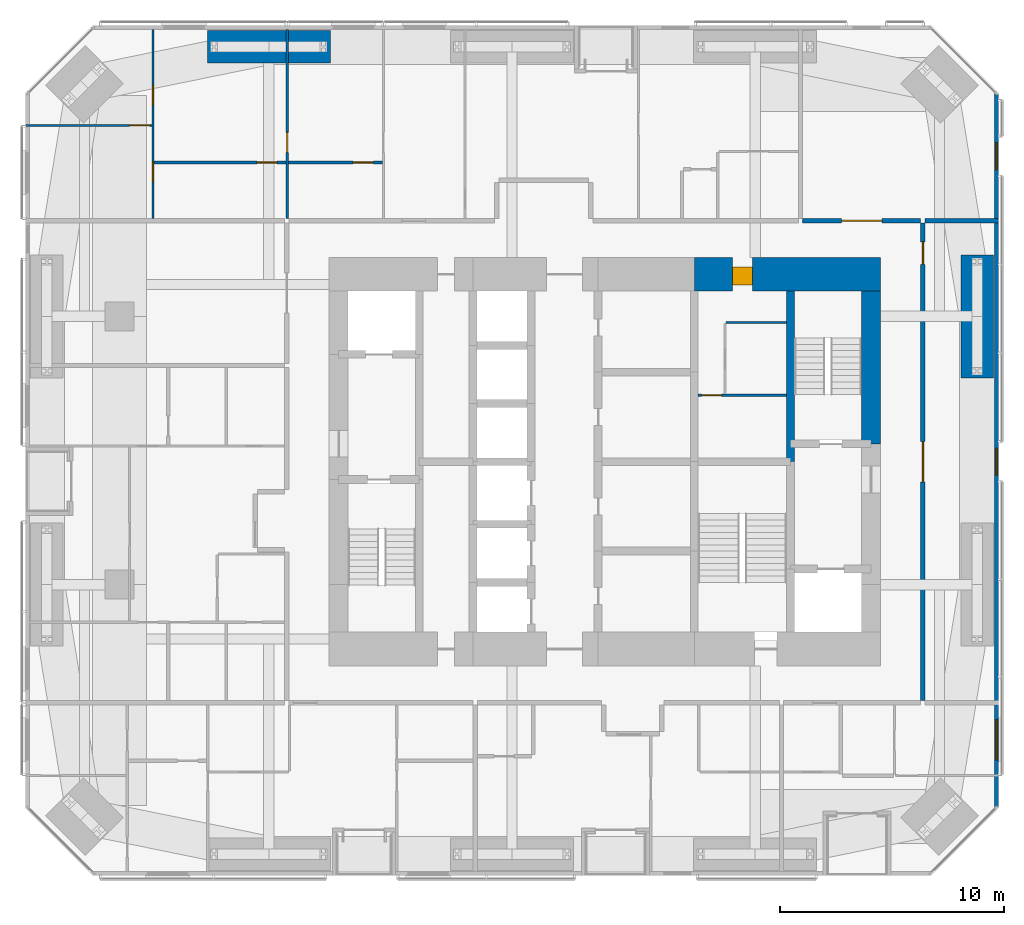
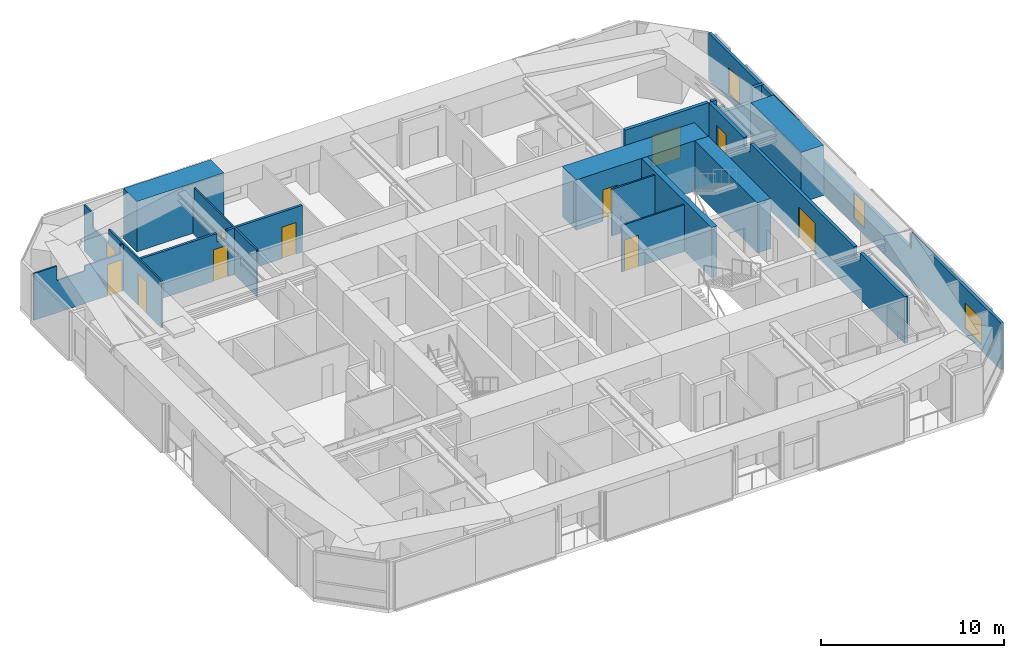
# One storey, part 21 of 23: 16 walls, 11 doors, 3 windows, 14 openings.
"""IFC4 building model written with IfcOpenShell, lengths in metres."""

from ifc_helpers import new_model, si_unit, direction, frame, frame_2d, origin, place, context, subcontext, project, spatial, polyline, rectangle, outline, extrude, material, layer, layer_set, constituent, constituent_set, type_object, element, fill, save


model = new_model("IFC4")

# Units and contexts
model_context = context("Model", 3, precision=1e-05, world=origin(), true_north=direction((0.0, 1.0)))
body_context = subcontext(model_context, "Body", "Model", "MODEL_VIEW")
ifc_project = project(units=[si_unit("LENGTHUNIT", "METRE"), si_unit("AREAUNIT", "SQUARE_METRE"), si_unit("VOLUMEUNIT", "CUBIC_METRE"), si_unit("PLANEANGLEUNIT", "RADIAN"), si_unit("MASSUNIT", "GRAM", prefix="KILO")], contexts=[model_context])

# Site, building, storey
site_placement = place(None, origin())
site = spatial("IfcSite", under=ifc_project, at=site_placement, CompositionType="ELEMENT")
building_placement = place(site_placement, origin())
building = spatial("IfcBuilding", under=site, at=building_placement, Name="Jalousie Tower", CompositionType="ELEMENT")
storey_placement = place(building_placement, frame((0.0, 0.0, 111.550048828125)))
storey = spatial("IfcBuildingStorey", under=building, at=storey_placement, Name="L30", CompositionType="ELEMENT", Elevation=111.550048828125)

# Wall, opening, door
ifc_material_1 = material(Name="Concrete block ASTM C90", Category="concrete")
ifc_constituent_1 = constituent(ifc_material_1, Name="Body")
ifc_material_2 = material(Name="Render")
ifc_constituent_2 = constituent(ifc_material_2, Name="Finish")
ifc_constituent_set_1 = constituent_set(constituents=[ifc_constituent_1, ifc_constituent_2])
wall_type_1 = type_object("IfcWallType", Name="BATHROOM WALL 150", PredefinedType="PLUMBINGWALL", material=ifc_constituent_set_1)
wall_1_placement = place(storey_placement, frame((11.75, 31.875, 0.0), z_axis=(0.0, 0.0, 1.0), x_axis=(1.0, 0.0, 0.0)))
wall_1 = element("IfcWall", 1, at=wall_1_placement, inside=storey, type_object=wall_type_1, Name="Bathroom Wall 150 L30", PredefinedType="PLUMBINGWALL", context=body_context, shape_type="SweptSolid", body=[
    extrude(outline(polyline([(0.0, 0.0), (5.89990234375, 0.0), (5.89990234375, 3.10986328125), (5.4375, 3.10986328125), (5.4375, 2.541015625), (4.8125, 2.541015625), (4.8125, 3.10986328125), (0.0, 3.10986328125), (0.0, 0.0)])), frame((0.0, 0.074951171875, 0.0), z_axis=(0.0, -1.0, 0.0), x_axis=(1.0, 0.0, 0.0)), (0.0, 0.0, 1.0), 0.14990234375),
])
opening_1_placement = place(wall_1_placement, frame((4.60009765625, 0.0, 0.0)))
opening_1 = element("IfcOpeningElement", 2, at=opening_1_placement, cuts=wall_1, Name="Opening D3", PredefinedType="OPENING", context=body_context, shape_type="SweptSolid", body=[
    extrude(rectangle(XDim=0.89990234375, YDim=2.10009765625, at=frame_2d((0.449951171875, 1.050048828125))), frame((0.0, 0.0849609375, 0.0), z_axis=(0.0, -1.0, 0.0), x_axis=(1.0, 0.0, 0.0)), (0.0, 0.0, 1.0), 0.169921875),
])
ifc_material_3 = material(Name="Timber door", Category="wood")
door_type_1 = type_object("IfcDoorType", Name="BATHROOM DOOR 900", OperationType="SINGLE_SWING_LEFT", PredefinedType="DOOR", material=ifc_material_3)
door_1_placement = place(opening_1_placement, frame((0.89990234375, 0.0, 0.0), z_axis=(0.0, 0.0, 1.0), x_axis=(-1.0, 0.0, 0.0)))
door_1 = element("IfcDoor", 3, at=door_1_placement, inside=storey, type_object=door_type_1, Name="Apartment 3004 bedroom 2 bathroom door", OperationType="SINGLE_SWING_LEFT", OverallHeight=2.10009765625, OverallWidth=0.89990234375, PredefinedType="DOOR", context=body_context, shape_type="SweptSolid", body=[
    extrude(rectangle(XDim=0.89990234375, YDim=2.10009765625, at=frame_2d((0.449951171875, 1.050048828125))), frame((0.0, 0.02490234375, 0.0), z_axis=(0.0, -1.0, 0.0), x_axis=(1.0, 0.0, 0.0)), (0.0, 0.0, 1.0), 0.050048828125),
])
fill(opening_1, door_1)

wall_2_placement = place(storey_placement, frame((17.75, 31.875, 0.0), z_axis=(0.0, 0.0, 1.0), x_axis=(1.0, 0.0, 0.0)))
wall_2 = element("IfcWall", 4, at=wall_2_placement, inside=storey, type_object=wall_type_1, Name="Bathroom Wall 150 L30", PredefinedType="PLUMBINGWALL", context=body_context, shape_type="SweptSolid", body=[
    extrude(rectangle(XDim=4.199951171875, YDim=0.14990234375, at=frame_2d((2.10009765625, 0.0))), origin(), (0.0, 0.0, 1.0), 3.10986328125),
])
opening_2_placement = place(wall_2_placement, frame((2.89990234375, 0.0, 0.0)))
opening_2 = element("IfcOpeningElement", 5, at=opening_2_placement, cuts=wall_2, Name="Opening D3", PredefinedType="OPENING", context=body_context, shape_type="SweptSolid", body=[
    extrude(rectangle(XDim=0.89990234375, YDim=2.10009765625, at=frame_2d((0.449951171875, 1.050048828125))), frame((0.0, 0.0849609375, 0.0), z_axis=(0.0, -1.0, 0.0), x_axis=(1.0, 0.0, 0.0)), (0.0, 0.0, 1.0), 0.169921875),
])
door_2_placement = place(opening_2_placement, frame((0.89990234375, 0.0, 0.0), z_axis=(0.0, 0.0, 1.0), x_axis=(-1.0, 0.0, 0.0)))
door_2 = element("IfcDoor", 6, at=door_2_placement, inside=storey, type_object=door_type_1, Name="Apartment 3004 bedroom 3 bathroom door", OperationType="SINGLE_SWING_LEFT", OverallHeight=2.10009765625, OverallWidth=0.89990234375, PredefinedType="DOOR", context=body_context, shape_type="SweptSolid", body=[
    extrude(rectangle(XDim=0.89990234375, YDim=2.10009765625, at=frame_2d((0.449951171875, 1.050048828125))), frame((0.0, 0.02490234375, 0.0), z_axis=(0.0, -1.0, 0.0), x_axis=(1.0, 0.0, 0.0)), (0.0, 0.0, 1.0), 0.050048828125),
])
fill(opening_2, door_2)

ifc_material_4 = material(Name="Concrete f'c 120 MPa", Category="concrete")
ifc_layer_1 = layer(ifc_material_4, 1.5)
ifc_layer_set_1 = layer_set([ifc_layer_1], Name="Concrete f'c 120 MPa")
wall_type_2 = type_object("IfcWallType", Name="CORE WALL 1500", PredefinedType="SHEAR", material=ifc_layer_set_1)
wall_3_placement = place(storey_placement, frame((44.22509765625, 26.875, 0.0), z_axis=(0.0, 0.0, 1.0), x_axis=(-1.0, 0.0, 0.0)))
wall_3 = element("IfcWall", 7, at=wall_3_placement, inside=storey, type_object=wall_type_2, Name="Core wall NA L30", PredefinedType="SHEAR", context=body_context, shape_type="SweptSolid", body=[
    extrude(rectangle(XDim=8.3251953125, YDim=1.5, at=frame_2d((4.16259765625, 0.0))), origin(), (0.0, 0.0, 1.0), 3.349853515625),
])
opening_3_placement = place(wall_3_placement, frame((5.72509765625, 0.0, 0.0)))
opening_3 = element("IfcOpeningElement", 8, at=opening_3_placement, cuts=wall_3, Name="Opening D25", PredefinedType="OPENING", context=body_context, shape_type="SweptSolid", body=[
    extrude(rectangle(XDim=0.89990234375, YDim=2.10009765625, at=frame_2d((0.449951171875, 1.050048828125))), frame((0.0, 0.760009765625, 0.0), z_axis=(0.0, -1.0, 0.0), x_axis=(1.0, 0.0, 0.0)), (0.0, 0.0, 1.0), 1.52001953125),
])
ifc_material_5 = material(Name="Steel fire door", Category="steel")
door_type_2 = type_object("IfcDoorType", Name="SERVICE LOBBY DOOR 900", OperationType="SINGLE_SWING_LEFT", PredefinedType="DOOR", material=ifc_material_5)
door_3_placement = place(opening_3_placement, origin())
door_3 = element("IfcDoor", 9, at=door_3_placement, inside=storey, type_object=door_type_2, Name="Service lobby door", OperationType="SINGLE_SWING_LEFT", OverallHeight=2.10009765625, OverallWidth=0.89990234375, PredefinedType="DOOR", context=body_context, shape_type="SweptSolid", body=[
    extrude(rectangle(XDim=0.89990234375, YDim=2.10009765625, at=frame_2d((0.449951171875, 1.050048828125))), frame((0.0, 0.47021484375, 0.0), z_axis=(0.0, -1.0, 0.0), x_axis=(1.0, 0.0, 0.0)), (0.0, 0.0, 1.0), 0.800048828125),
])
fill(opening_3, door_3)

# Walls
ifc_material_6 = material(Name="Concrete f'c 120 MPa", Category="concrete")
ifc_layer_2 = layer(ifc_material_6, 0.35009765625)
ifc_layer_set_2 = layer_set([ifc_layer_2], Name="Concrete f'c 120 MPa")
wall_type_3 = type_object("IfcWallType", Name="CORE WALL 350", PredefinedType="SHEAR", material=ifc_layer_set_2)
wall_4_placement = place(storey_placement, frame((40.199951171875, 18.5, 0.0), z_axis=(0.0, 0.0, 1.0), x_axis=(0.0, 1.0, 0.0)))
element("IfcWall", 10, at=wall_4_placement, inside=storey, type_object=wall_type_3, Name="Core wall X40.2C L30", PredefinedType="SHEAR", context=body_context, shape_type="SweptSolid", body=[
    extrude(rectangle(XDim=7.625, YDim=0.35009765625, at=frame_2d((3.8125, 0.0))), origin(), (0.0, 0.0, 1.0), 3.349853515625),
])
ifc_material_7 = material(Name="Concrete f'c 120 MPa", Category="concrete")
ifc_layer_3 = layer(ifc_material_7, 0.85009765625)
ifc_layer_set_3 = layer_set([ifc_layer_3], Name="Concrete f'c 120 MPa")
wall_type_4 = type_object("IfcWallType", Name="CORE WALL 850", PredefinedType="SHEAR", material=ifc_layer_set_3)
wall_5_placement = place(storey_placement, frame((43.800048828125, 19.300048828125, 0.0), z_axis=(0.0, 0.0, 1.0), x_axis=(0.0, 1.0, 0.0)))
element("IfcWall", 11, at=wall_5_placement, inside=storey, type_object=wall_type_4, Name="Core wall EC L30", PredefinedType="SHEAR", context=body_context, shape_type="SweptSolid", body=[
    extrude(rectangle(XDim=6.824951171875, YDim=0.85009765625, at=frame_2d((3.41259765625, 0.0))), origin(), (0.0, 0.0, 1.0), 3.349853515625),
])

# Wall, opening, door
ifc_material_8 = material(Name="Concrete block ASTM C90", Category="concrete")
ifc_constituent_3 = constituent(ifc_material_8, Name="Body")
ifc_material_9 = material(Name="Render")
ifc_constituent_4 = constituent(ifc_material_9, Name="Finish")
ifc_constituent_set_2 = constituent_set(constituents=[ifc_constituent_3, ifc_constituent_4])
wall_type_5 = type_object("IfcWallType", Name="CORRIDOR WALL 200", PredefinedType="PARTITIONING", material=ifc_constituent_set_2)
wall_6_placement = place(storey_placement, frame((40.75, 29.27490234375, 0.0), z_axis=(0.0, 0.0, 1.0), x_axis=(1.0, 0.0, 0.0)))
wall_6 = element("IfcWall", 12, at=wall_6_placement, inside=storey, type_object=wall_type_5, Name="Corridor Wall 200 L30", PredefinedType="PARTITIONING", context=body_context, shape_type="SweptSolid", body=[
    extrude(rectangle(XDim=5.27490234375, YDim=0.199951171875, at=frame_2d((2.637451171875, 0.0))), origin(), (0.0, 0.0, 1.0), 3.10986328125),
])
opening_4_placement = place(wall_6_placement, frame((1.737548828125, 0.0, 0.0)))
opening_4 = element("IfcOpeningElement", 13, at=opening_4_placement, cuts=wall_6, Name="Opening D22", PredefinedType="OPENING", context=body_context, shape_type="SweptSolid", body=[
    extrude(rectangle(XDim=1.800048828125, YDim=2.10009765625, at=frame_2d((0.89990234375, 1.050048828125))), frame((0.0, 0.10986328125, 0.0), z_axis=(0.0, -1.0, 0.0), x_axis=(1.0, 0.0, 0.0)), (0.0, 0.0, 1.0), 0.219970703125),
])
ifc_material_10 = material(Name="Timber fire door", Category="wood")
door_type_3 = type_object("IfcDoorType", Name="CORRIDOR DOUBLE DOOR 1800", OperationType="DOUBLE_DOOR_SINGLE_SWING", PredefinedType="DOOR", material=ifc_material_10)
door_4_placement = place(opening_4_placement, origin())
door_4 = element("IfcDoor", 14, at=door_4_placement, inside=storey, type_object=door_type_3, Name="Residents' games room door", OperationType="DOUBLE_DOOR_SINGLE_SWING", OverallHeight=2.10009765625, OverallWidth=1.800048828125, PredefinedType="DOOR", context=body_context, shape_type="SweptSolid", body=[
    extrude(rectangle(XDim=1.800048828125, YDim=2.10009765625, at=frame_2d((0.89990234375, 1.050048828125))), frame((0.0, 0.02490234375, 0.0), z_axis=(0.0, -1.0, 0.0), x_axis=(1.0, 0.0, 0.0)), (0.0, 0.0, 1.0), 0.050048828125),
])
fill(opening_4, door_4)

# Wall, openings, doors
wall_7_placement = place(storey_placement, frame((46.125, 7.824951171875, 0.0), z_axis=(0.0, 0.0, 1.0), x_axis=(0.0, 1.0, 0.0)))
wall_7 = element("IfcWall", 15, at=wall_7_placement, inside=storey, type_object=wall_type_5, Name="Corridor Wall 200 L30", PredefinedType="PARTITIONING", context=body_context, shape_type="SweptSolid", body=[
    extrude(outline(polyline([(0.0, 0.0), (21.35009765625, 0.0), (21.35009765625, 3.10986328125), (17.512451171875, 3.10986328125), (17.512451171875, 2.541015625), (16.837646484375, 2.541015625), (16.837646484375, 3.10986328125), (5.51220703125, 3.10986328125), (5.51220703125, 2.541015625), (4.837646484375, 2.541015625), (4.837646484375, 3.10986328125), (0.0, 3.10986328125), (0.0, 0.0)])), frame((0.0, 0.10009765625, 0.0), z_axis=(0.0, -1.0, 0.0), x_axis=(1.0, 0.0, 0.0)), (0.0, 0.0, 1.0), 0.199951171875),
])
opening_5_placement = place(wall_7_placement, frame((9.77490234375, 0.0, 0.0)))
opening_5 = element("IfcOpeningElement", 16, at=opening_5_placement, cuts=wall_7, Name="Opening D22", PredefinedType="OPENING", context=body_context, shape_type="SweptSolid", body=[
    extrude(rectangle(XDim=1.800048828125, YDim=2.10009765625, at=frame_2d((0.89990234375, 1.050048828125))), frame((0.0, 0.10986328125, 0.0), z_axis=(0.0, -1.0, 0.0), x_axis=(1.0, 0.0, 0.0)), (0.0, 0.0, 1.0), 0.219970703125),
])
opening_6_placement = place(wall_7_placement, frame((19.5, 0.0, 0.0)))
opening_6 = element("IfcOpeningElement", 17, at=opening_6_placement, cuts=wall_7, Name="Opening D21", PredefinedType="OPENING", context=body_context, shape_type="SweptSolid", body=[
    extrude(rectangle(XDim=1.0, YDim=2.10009765625, at=frame_2d((0.5, 1.050048828125))), frame((0.0, 0.10986328125, 0.0), z_axis=(0.0, -1.0, 0.0), x_axis=(1.0, 0.0, 0.0)), (0.0, 0.0, 1.0), 0.219970703125),
])
ifc_material_11 = material(Name="Timber fire door", Category="wood")
door_type_4 = type_object("IfcDoorType", Name="CORRIDOR DOOR 1000", OperationType="SINGLE_SWING_LEFT", PredefinedType="DOOR", material=ifc_material_11)
door_5_placement = place(opening_6_placement, frame((1.0, 0.0, 0.0), z_axis=(0.0, 0.0, 1.0), x_axis=(-1.0, 0.0, 0.0)))
door_5 = element("IfcDoor", 18, at=door_5_placement, inside=storey, type_object=door_type_4, Name="Lounge second door", OperationType="SINGLE_SWING_LEFT", OverallHeight=2.10009765625, OverallWidth=1.0, PredefinedType="DOOR", context=body_context, shape_type="SweptSolid", body=[
    extrude(rectangle(XDim=1.0, YDim=2.10009765625, at=frame_2d((0.5, 1.050048828125))), frame((0.0, 0.02490234375, 0.0), z_axis=(0.0, -1.0, 0.0), x_axis=(1.0, 0.0, 0.0)), (0.0, 0.0, 1.0), 0.050048828125),
])
fill(opening_6, door_5)
door_6_placement = place(opening_5_placement, frame((1.800048828125, 0.0, 0.0), z_axis=(0.0, 0.0, 1.0), x_axis=(-1.0, 0.0, 0.0)))
door_6 = element("IfcDoor", 19, at=door_6_placement, inside=storey, type_object=door_type_3, Name="Lounge door", OperationType="DOUBLE_DOOR_SINGLE_SWING", OverallHeight=2.10009765625, OverallWidth=1.800048828125, PredefinedType="DOOR", context=body_context, shape_type="SweptSolid", body=[
    extrude(rectangle(XDim=1.800048828125, YDim=2.10009765625, at=frame_2d((0.89990234375, 1.050048828125))), frame((0.0, 0.02490234375, 0.0), z_axis=(0.0, -1.0, 0.0), x_axis=(1.0, 0.0, 0.0)), (0.0, 0.0, 1.0), 0.050048828125),
])
fill(opening_5, door_6)

# Wall, openings, windows
ifc_material_12 = material(Name="Concrete f'c 40 MPa", Category="concrete")
ifc_constituent_5 = constituent(ifc_material_12, Name="Body")
ifc_material_13 = material(Name="Render, pastel sea green")
ifc_constituent_6 = constituent(ifc_material_13, Name="Finish")
ifc_constituent_set_3 = constituent_set(constituents=[ifc_constituent_5, ifc_constituent_6])
wall_type_6 = type_object("IfcWallType", Name="EXTERNAL WALL 175 SEA GREEN RENDER", PredefinedType="SOLIDWALL", material=ifc_constituent_set_3)
wall_8_placement = place(storey_placement, frame((49.41259765625, 3.05126953125, 0.0), z_axis=(0.0, 0.0, 1.0), x_axis=(0.0, 1.0, 0.0)))
wall_8 = element("IfcWall", 20, at=wall_8_placement, inside=storey, type_object=wall_type_6, Name="External Wall 175 Sea Green Render L30", PredefinedType="SOLIDWALL", context=body_context, shape_type="SweptSolid", body=[
    extrude(outline(polyline([(0.0, 0.0), (31.8974609375, 0.0), (31.8974609375, 3.10986328125), (22.167236328125, 3.10986328125), (22.167236328125, 2.14990234375), (22.074462890625, 2.14990234375), (22.074462890625, 3.10986328125), (21.94873046875, 3.10986328125), (21.94873046875, 2.14990234375), (9.94873046875, 2.14990234375), (9.94873046875, 3.10986328125), (9.822998046875, 3.10986328125), (9.822998046875, 2.14990234375), (9.72998046875, 2.14990234375), (9.72998046875, 3.10986328125), (0.0, 3.10986328125), (0.0, 0.0)])), frame((0.0, 0.08740234375, 0.0), z_axis=(0.0, -1.0, 0.0), x_axis=(1.0, 0.0, 0.0)), (0.0, 0.0, 1.0), 0.175048828125),
])
opening_7_placement = place(wall_8_placement, frame((2.1181640625, 0.0, 0.39990234375)))
opening_7 = element("IfcOpeningElement", 21, at=opening_7_placement, cuts=wall_8, Name="Opening W-BED170", PredefinedType="OPENING", context=body_context, shape_type="SweptSolid", body=[
    extrude(rectangle(XDim=1.800048828125, YDim=1.699951171875, at=frame_2d((0.89990234375, 0.85009765625))), frame((0.0, 0.097412109375, 0.0), z_axis=(0.0, -1.0, 0.0), x_axis=(1.0, 0.0, 0.0)), (0.0, 0.0, 1.0), 0.195068359375),
])
opening_8_placement = place(wall_8_placement, frame((14.8486328125, 0.0, 0.39990234375)))
opening_8 = element("IfcOpeningElement", 22, at=opening_8_placement, cuts=wall_8, Name="Opening W-COR170", PredefinedType="OPENING", context=body_context, shape_type="SweptSolid", body=[
    extrude(rectangle(XDim=1.199951171875, YDim=1.699951171875, at=frame_2d((0.60009765625, 0.85009765625))), frame((0.0, 0.097412109375, 0.0), z_axis=(0.0, -1.0, 0.0), x_axis=(1.0, 0.0, 0.0)), (0.0, 0.0, 1.0), 0.195068359375),
])
opening_9_placement = place(wall_8_placement, frame((28.510498046875, 0.0, 0.39990234375)))
opening_9 = element("IfcOpeningElement", 23, at=opening_9_placement, cuts=wall_8, Name="Opening W-COR170", PredefinedType="OPENING", context=body_context, shape_type="SweptSolid", body=[
    extrude(rectangle(XDim=1.199951171875, YDim=1.699951171875, at=frame_2d((0.60009765625, 0.85009765625))), frame((0.0, 0.097412109375, 0.0), z_axis=(0.0, -1.0, 0.0), x_axis=(1.0, 0.0, 0.0)), (0.0, 0.0, 1.0), 0.195068359375),
])
ifc_material_14 = material(Name="Aluminium frame, impact-rated glazing", Category="aluminium")
window_type_1 = type_object("IfcWindowType", Name="WINDOW BED 1800x1700", PartitioningType="SINGLE_PANEL", PredefinedType="WINDOW", material=ifc_material_14)
window_1_placement = place(opening_7_placement, origin())
window_1 = element("IfcWindow", 24, at=window_1_placement, inside=storey, type_object=window_type_1, Name="Apartment 3003 bedroom 1 window", OverallHeight=1.699951171875, OverallWidth=1.800048828125, PartitioningType="SINGLE_PANEL", PredefinedType="WINDOW", context=body_context, shape_type="SweptSolid", body=[
    extrude(rectangle(XDim=1.800048828125, YDim=1.699951171875, at=frame_2d((0.89990234375, 0.85009765625))), frame((0.0, 0.030029296875, 0.0), z_axis=(0.0, -1.0, 0.0), x_axis=(1.0, 0.0, 0.0)), (0.0, 0.0, 1.0), 0.06005859375),
])
fill(opening_7, window_1)
ifc_material_15 = material(Name="Aluminium frame, impact-rated glazing", Category="aluminium")
window_type_2 = type_object("IfcWindowType", Name="WINDOW COR 1200x1700", PartitioningType="SINGLE_PANEL", PredefinedType="WINDOW", material=ifc_material_15)
window_2_placement = place(opening_8_placement, origin())
window_2 = element("IfcWindow", 25, at=window_2_placement, inside=storey, type_object=window_type_2, Name="Residents' lounge window", OverallHeight=1.699951171875, OverallWidth=1.199951171875, PartitioningType="SINGLE_PANEL", PredefinedType="WINDOW", context=body_context, shape_type="SweptSolid", body=[
    extrude(rectangle(XDim=1.199951171875, YDim=1.699951171875, at=frame_2d((0.60009765625, 0.85009765625))), frame((0.0, 0.030029296875, 0.0), z_axis=(0.0, -1.0, 0.0), x_axis=(1.0, 0.0, 0.0)), (0.0, 0.0, 1.0), 0.06005859375),
])
fill(opening_8, window_2)
window_3_placement = place(opening_9_placement, origin())
window_3 = element("IfcWindow", 26, at=window_3_placement, inside=storey, type_object=window_type_2, Name="Residents' games room window", OverallHeight=1.699951171875, OverallWidth=1.199951171875, PartitioningType="SINGLE_PANEL", PredefinedType="WINDOW", context=body_context, shape_type="SweptSolid", body=[
    extrude(rectangle(XDim=1.199951171875, YDim=1.699951171875, at=frame_2d((0.60009765625, 0.85009765625))), frame((0.0, 0.030029296875, 0.0), z_axis=(0.0, -1.0, 0.0), x_axis=(1.0, 0.0, 0.0)), (0.0, 0.0, 1.0), 0.06005859375),
])
fill(opening_9, window_3)

# Wall, openings, doors
ifc_material_16 = material(Name="Gypsum board", Category="gypsum")
ifc_constituent_7 = constituent(ifc_material_16, Name="Body")
ifc_material_17 = material(Name="Light-gauge steel studs ASTM A653 SS Grade 33", Category="steel")
ifc_constituent_8 = constituent(ifc_material_17, Name="Framing")
ifc_constituent_set_4 = constituent_set(constituents=[ifc_constituent_7, ifc_constituent_8])
wall_type_7 = type_object("IfcWallType", Name="PARTITION 100", PredefinedType="PARTITIONING", material=ifc_constituent_set_4)
wall_9_placement = place(storey_placement, frame((11.699951171875, 37.824951171875, 0.0), z_axis=(0.0, 0.0, 1.0), x_axis=(0.0, -1.0, 0.0)))
wall_9 = element("IfcWall", 27, at=wall_9_placement, inside=storey, type_object=wall_type_7, Name="Partition 100 L30", PredefinedType="PARTITIONING", context=body_context, shape_type="SweptSolid", body=[
    extrude(outline(polyline([(0.0, 0.0), (8.449951171875, 0.0), (8.449951171875, 3.10986328125), (2.708251953125, 3.10986328125), (2.708251953125, 2.14990234375), (0.952880859375, 2.14990234375), (0.952880859375, 3.10986328125), (0.0, 3.10986328125), (0.0, 0.0)])), frame((0.0, 0.050048828125, 0.0), z_axis=(0.0, -1.0, 0.0), x_axis=(1.0, 0.0, 0.0)), (0.0, 0.0, 1.0), 0.10009765625),
])
opening_10_placement = place(wall_9_placement, frame((2.48876953125, 0.0, 0.0)))
opening_10 = element("IfcOpeningElement", 28, at=opening_10_placement, cuts=wall_9, Name="Opening D2", PredefinedType="OPENING", context=body_context, shape_type="SweptSolid", body=[
    extrude(rectangle(XDim=0.89990234375, YDim=2.10009765625, at=frame_2d((0.449951171875, 1.050048828125))), frame((0.0, 0.06005859375, 0.0), z_axis=(0.0, -1.0, 0.0), x_axis=(1.0, 0.0, 0.0)), (0.0, 0.0, 1.0), 0.1201171875),
])
opening_11_placement = place(wall_9_placement, frame((5.91943359375, 0.0, 0.0)))
opening_11 = element("IfcOpeningElement", 29, at=opening_11_placement, cuts=wall_9, Name="Opening D3", PredefinedType="OPENING", context=body_context, shape_type="SweptSolid", body=[
    extrude(rectangle(XDim=0.89990234375, YDim=2.10009765625, at=frame_2d((0.449951171875, 1.050048828125))), frame((0.0, 0.06005859375, 0.0), z_axis=(0.0, -1.0, 0.0), x_axis=(1.0, 0.0, 0.0)), (0.0, 0.0, 1.0), 0.1201171875),
])
door_7_placement = place(opening_11_placement, origin())
door_7 = element("IfcDoor", 30, at=door_7_placement, inside=storey, type_object=door_type_1, Name="Apartment 3004 bedroom 1 bathroom door", OperationType="SINGLE_SWING_RIGHT", OverallHeight=2.10009765625, OverallWidth=0.89990234375, PredefinedType="DOOR", context=body_context, shape_type="SweptSolid", body=[
    extrude(rectangle(XDim=0.89990234375, YDim=2.10009765625, at=frame_2d((0.449951171875, 1.050048828125))), frame((0.0, 0.02490234375, 0.0), z_axis=(0.0, -1.0, 0.0), x_axis=(1.0, 0.0, 0.0)), (0.0, 0.0, 1.0), 0.050048828125),
])
fill(opening_11, door_7)
ifc_material_18 = material(Name="Timber door", Category="wood")
door_type_5 = type_object("IfcDoorType", Name="BEDROOM DOOR 900", OperationType="SINGLE_SWING_LEFT", PredefinedType="DOOR", material=ifc_material_18)
door_8_placement = place(opening_10_placement, origin())
door_8 = element("IfcDoor", 31, at=door_8_placement, inside=storey, type_object=door_type_5, Name="Apartment 3004 bedroom 1 door", OperationType="SINGLE_SWING_RIGHT", OverallHeight=2.10009765625, OverallWidth=0.89990234375, PredefinedType="DOOR", context=body_context, shape_type="SweptSolid", body=[
    extrude(rectangle(XDim=0.89990234375, YDim=2.10009765625, at=frame_2d((0.449951171875, 1.050048828125))), frame((0.0, 0.02490234375, 0.0), z_axis=(0.0, -1.0, 0.0), x_axis=(1.0, 0.0, 0.0)), (0.0, 0.0, 1.0), 0.050048828125),
])
fill(opening_10, door_8)

# Wall, opening, door
wall_10_placement = place(storey_placement, frame((17.699951171875, 37.824951171875, 0.0), z_axis=(0.0, 0.0, 1.0), x_axis=(0.0, -1.0, 0.0)))
wall_10 = element("IfcWall", 32, at=wall_10_placement, inside=storey, type_object=wall_type_7, Name="Partition 100 L30", PredefinedType="PARTITIONING", context=body_context, shape_type="SweptSolid", body=[
    extrude(outline(polyline([(1.635009765625, 2.14990234375), (0.0, 2.14990234375), (0.0, 0.0), (8.449951171875, 0.0), (8.449951171875, 3.10986328125), (1.635009765625, 3.10986328125), (1.635009765625, 2.14990234375)]), holes=[polyline([(1.021240234375, 0.115966796875), (0.52880859375, 0.115966796875), (0.52880859375, 0.90576171875), (1.021240234375, 0.90576171875), (1.021240234375, 0.115966796875)]), polyline([(1.021240234375, 1.244140625), (0.52880859375, 1.244140625), (0.52880859375, 2.033935546875), (1.021240234375, 2.033935546875), (1.021240234375, 1.244140625)])]), frame((0.0, 0.050048828125, 0.0), z_axis=(0.0, -1.0, 0.0), x_axis=(1.0, 0.0, 0.0)), (0.0, 0.0, 1.0), 0.10009765625),
])
opening_12_placement = place(wall_10_placement, frame((4.60009765625, 0.0, 0.0)))
opening_12 = element("IfcOpeningElement", 33, at=opening_12_placement, cuts=wall_10, Name="Opening D2", PredefinedType="OPENING", context=body_context, shape_type="SweptSolid", body=[
    extrude(rectangle(XDim=0.89990234375, YDim=2.10009765625, at=frame_2d((0.449951171875, 1.050048828125))), frame((0.0, 0.06005859375, 0.0), z_axis=(0.0, -1.0, 0.0), x_axis=(1.0, 0.0, 0.0)), (0.0, 0.0, 1.0), 0.1201171875),
])
door_9_placement = place(opening_12_placement, frame((0.89990234375, 0.0, 0.0), z_axis=(0.0, 0.0, 1.0), x_axis=(-1.0, 0.0, 0.0)))
door_9 = element("IfcDoor", 34, at=door_9_placement, inside=storey, type_object=door_type_5, Name="Apartment 3004 bedroom 2 door", OperationType="SINGLE_SWING_LEFT", OverallHeight=2.10009765625, OverallWidth=0.89990234375, PredefinedType="DOOR", context=body_context, shape_type="SweptSolid", body=[
    extrude(rectangle(XDim=0.89990234375, YDim=2.10009765625, at=frame_2d((0.449951171875, 1.050048828125))), frame((0.0, 0.02490234375, 0.0), z_axis=(0.0, -1.0, 0.0), x_axis=(1.0, 0.0, 0.0)), (0.0, 0.0, 1.0), 0.050048828125),
])
fill(opening_12, door_9)

wall_11_placement = place(storey_placement, frame((6.0, 33.5361328125, 0.0), z_axis=(0.0, 0.0, 1.0), x_axis=(1.0, 0.0, 0.0)))
wall_11 = element("IfcWall", 35, at=wall_11_placement, inside=storey, type_object=wall_type_7, Name="Partition 100 L30", PredefinedType="PARTITIONING", context=body_context, shape_type="SweptSolid", body=[
    extrude(outline(polyline([(0.0, 0.0), (5.64990234375, 0.0), (5.64990234375, 3.10986328125), (5.4599609375, 3.10986328125), (5.4599609375, 2.510009765625), (3.20556640625, 2.510009765625), (3.20556640625, 2.14990234375), (1.462890625, 2.14990234375), (1.462890625, 3.10986328125), (0.0, 3.10986328125), (0.0, 0.0)])), frame((0.0, 0.050048828125, 0.0), z_axis=(0.0, -1.0, 0.0), x_axis=(1.0, 0.0, 0.0)), (0.0, 0.0, 1.0), 0.10009765625),
])
opening_13_placement = place(wall_11_placement, frame((4.64990234375, 0.0, 0.0)))
opening_13 = element("IfcOpeningElement", 36, at=opening_13_placement, cuts=wall_11, Name="Opening D7", PredefinedType="OPENING", context=body_context, shape_type="SweptSolid", body=[
    extrude(rectangle(XDim=0.89990234375, YDim=2.10009765625, at=frame_2d((0.449951171875, 1.050048828125))), frame((0.0, 0.06005859375, 0.0), z_axis=(0.0, -1.0, 0.0), x_axis=(1.0, 0.0, 0.0)), (0.0, 0.0, 1.0), 0.1201171875),
])
ifc_material_19 = material(Name="Timber door", Category="wood")
door_type_6 = type_object("IfcDoorType", Name="INTERNAL DOOR 900", OperationType="SINGLE_SWING_LEFT", PredefinedType="DOOR", material=ifc_material_19)
door_10_placement = place(opening_13_placement, frame((0.89990234375, 0.0, 0.0), z_axis=(0.0, 0.0, 1.0), x_axis=(-1.0, 0.0, 0.0)))
door_10 = element("IfcDoor", 37, at=door_10_placement, inside=storey, type_object=door_type_6, Name="Apartment 3004 bedroom 1 dressing hall door", OperationType="SINGLE_SWING_LEFT", OverallHeight=2.10009765625, OverallWidth=0.89990234375, PredefinedType="DOOR", context=body_context, shape_type="SweptSolid", body=[
    extrude(rectangle(XDim=0.89990234375, YDim=2.10009765625, at=frame_2d((0.449951171875, 1.050048828125))), frame((0.0, 0.02490234375, 0.0), z_axis=(0.0, -1.0, 0.0), x_axis=(1.0, 0.0, 0.0)), (0.0, 0.0, 1.0), 0.050048828125),
])
fill(opening_13, door_10)

# Wall
wall_12_placement = place(storey_placement, frame((37.324951171875, 24.72509765625, 0.0), z_axis=(0.0, 0.0, 1.0), x_axis=(1.0, 0.0, 0.0)))
element("IfcWall", 38, at=wall_12_placement, inside=storey, type_object=wall_type_7, Name="Partition 100 L30", PredefinedType="PARTITIONING", context=body_context, shape_type="SweptSolid", body=[
    extrude(rectangle(XDim=2.699951171875, YDim=0.10009765625, at=frame_2d((1.35009765625, 0.0))), origin(), (0.0, 0.0, 1.0), 3.10986328125),
])

# Wall, opening, door
wall_13_placement = place(storey_placement, frame((36.074951171875, 21.47509765625, 0.0), z_axis=(0.0, 0.0, 1.0), x_axis=(1.0, 0.0, 0.0)))
wall_13 = element("IfcWall", 39, at=wall_13_placement, inside=storey, type_object=wall_type_7, Name="Partition 100 L30", PredefinedType="PARTITIONING", context=body_context, shape_type="SweptSolid", body=[
    extrude(rectangle(XDim=3.949951171875, YDim=0.10009765625, at=frame_2d((1.97509765625, 0.0))), origin(), (0.0, 0.0, 1.0), 3.10986328125),
])
opening_14_placement = place(wall_13_placement, frame((0.14990234375, 0.0, 0.0)))
opening_14 = element("IfcOpeningElement", 40, at=opening_14_placement, cuts=wall_13, Name="Opening D7", PredefinedType="OPENING", context=body_context, shape_type="SweptSolid", body=[
    extrude(rectangle(XDim=0.89990234375, YDim=2.10009765625, at=frame_2d((0.449951171875, 1.050048828125))), frame((0.0, 0.06005859375, 0.0), z_axis=(0.0, -1.0, 0.0), x_axis=(1.0, 0.0, 0.0)), (0.0, 0.0, 1.0), 0.1201171875),
])
door_11_placement = place(opening_14_placement, frame((0.89990234375, 0.0, 0.0), z_axis=(0.0, 0.0, 1.0), x_axis=(-1.0, 0.0, 0.0)))
door_11 = element("IfcDoor", 41, at=door_11_placement, inside=storey, type_object=door_type_6, Name="Linen store door", OperationType="SINGLE_SWING_RIGHT", OverallHeight=2.10009765625, OverallWidth=0.89990234375, PredefinedType="DOOR", context=body_context, shape_type="SweptSolid", body=[
    extrude(rectangle(XDim=0.89990234375, YDim=2.10009765625, at=frame_2d((0.449951171875, 1.050048828125))), frame((0.0, 0.02490234375, 0.0), z_axis=(0.0, -1.0, 0.0), x_axis=(1.0, 0.0, 0.0)), (0.0, 0.0, 1.0), 0.050048828125),
])
fill(opening_14, door_11)

# Walls
ifc_material_20 = material(Name="Concrete block ASTM C90", Category="concrete")
ifc_constituent_9 = constituent(ifc_material_20, Name="Body")
ifc_material_21 = material(Name="Render")
ifc_constituent_10 = constituent(ifc_material_21, Name="Finish")
ifc_constituent_set_5 = constituent_set(constituents=[ifc_constituent_9, ifc_constituent_10])
wall_type_8 = type_object("IfcWallType", Name="PARTY WALL 200", PredefinedType="PARTITIONING", material=ifc_constituent_set_5)
wall_14_placement = place(storey_placement, frame((46.22509765625, 29.27490234375, 0.0), z_axis=(0.0, 0.0, 1.0), x_axis=(1.0, 0.0, 0.0)))
element("IfcWall", 42, at=wall_14_placement, inside=storey, type_object=wall_type_8, Name="Party Wall 200 L30", PredefinedType="PARTITIONING", context=body_context, shape_type="SweptSolid", body=[
    extrude(outline(polyline([(0.0, 0.0), (3.27490234375, 0.0), (3.27490234375, 3.10986328125), (2.5537109375, 3.10986328125), (2.5537109375, 2.14990234375), (0.80517578125, 2.14990234375), (0.80517578125, 2.541015625), (0.30615234375, 2.541015625), (0.30615234375, 3.10986328125), (0.0, 3.10986328125), (0.0, 0.0)])), frame((0.0, 0.10009765625, 0.0), z_axis=(0.0, -1.0, 0.0), x_axis=(1.0, 0.0, 0.0)), (0.0, 0.0, 1.0), 0.199951171875),
])
ifc_material_22 = material(Name="Concrete f'c 120 MPa", Category="concrete")
ifc_layer_4 = layer(ifc_material_22, 1.449951171875)
ifc_layer_set_4 = layer_set([ifc_layer_4], Name="Concrete f'c 120 MPa")
wall_type_9 = type_object("IfcWallType", Name="RC WALL PIER 1450", PredefinedType="SHEAR", material=ifc_layer_set_4)
for number, where, z_axis, x_axis, name in (
    (43, (48.550048828125, 22.25, 0.0), (0.0, 0.0, 1.0), (0.0, 1.0, 0.0), "Wall pier 07 L30"),
    (44, (14.125, 37.050048828125, 0.0), (0.0, 0.0, 1.0), (1.0, 0.0, 0.0), "Wall pier 11 L30"),
):
    element("IfcWall", number, at=place(storey_placement, frame(where, z_axis=z_axis, x_axis=x_axis)), inside=storey, type_object=wall_type_9, Name=name, PredefinedType="SHEAR", context=body_context, shape_type="SweptSolid", body=[
        extrude(rectangle(XDim=5.5, YDim=1.449951171875, at=frame_2d((2.75, 0.0))), origin(), (0.0, 0.0, 1.0), 3.349853515625),
    ])

save(model, "model.ifc")
